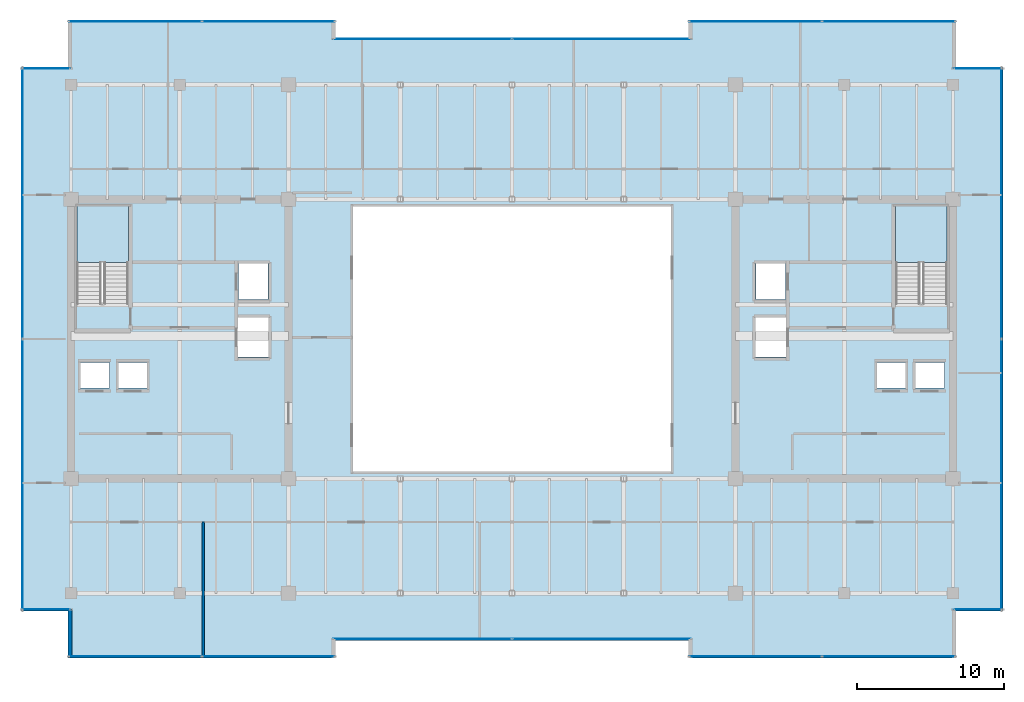
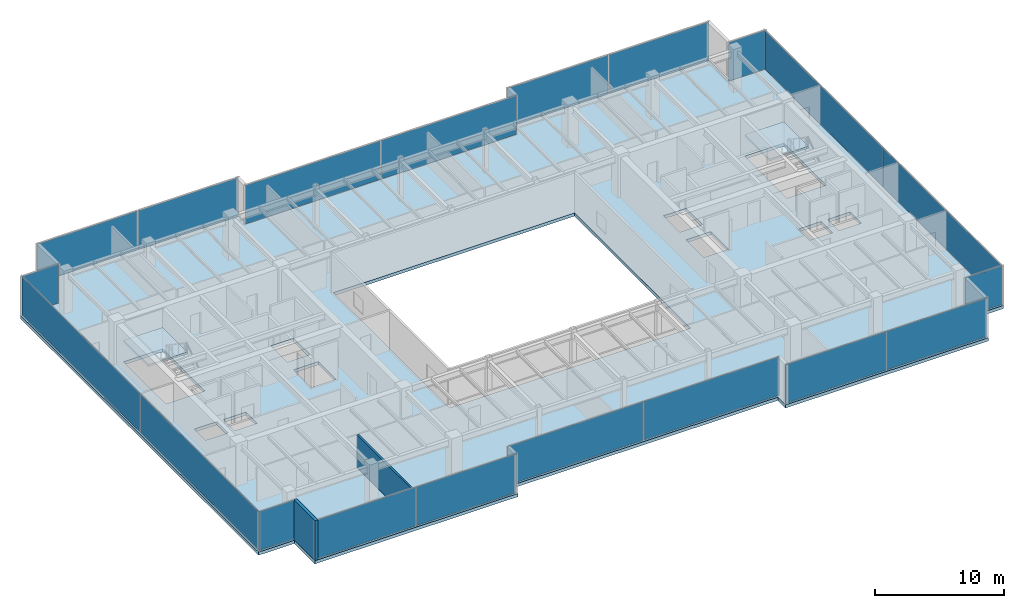
# One storey, part 27 of 33: 20 plates, 3 slabs, 2 walls, 14 elements without a shape of their own.
"""IFC4 building model written with IfcOpenShell, lengths in metres."""

from ifc_helpers import new_model, si_unit, direction, frame, frame_2d, origin, origin_2d, place, context, subcontext, project, spatial, polyline, rectangle, outline, extrude, source, transform, mapped, material, layer, layer_set, type_object, type_shapes, element, aggregate, save


model = new_model("IFC4")

# Units and contexts
model_context = context("Model", 3, precision=1e-05, world=origin(), true_north=direction((0.0, 1.0)))
body_context = subcontext(model_context, "Body", "Model", "MODEL_VIEW")
ifc_project = project(units=[si_unit("LENGTHUNIT", "METRE"), si_unit("AREAUNIT", "SQUARE_METRE"), si_unit("VOLUMEUNIT", "CUBIC_METRE"), si_unit("PLANEANGLEUNIT", "RADIAN"), si_unit("MASSUNIT", "GRAM", prefix="KILO")], contexts=[model_context])

# Site, building, storey
site_placement = place(None, origin())
site = spatial("IfcSite", under=ifc_project, at=site_placement, CompositionType="ELEMENT")
building_placement = place(site_placement, origin())
building = spatial("IfcBuilding", under=site, at=building_placement, Name="Haelvirn Gate Laboratories", CompositionType="ELEMENT")
storey_placement = place(building_placement, frame((0.0, 0.0, 217.800048828125)))
storey = spatial("IfcBuildingStorey", under=building, at=storey_placement, Name="L52", CompositionType="ELEMENT", Elevation=217.800048828125)

# Stair, slab
ifc_material_1 = material(Name="Concrete C40/50", Category="concrete")
stair_type = type_object("IfcStairType", Name="ST-DOG-1650-R22", PredefinedType="HALF_TURN_STAIR", material=ifc_material_1)
stair_1_placement = place(storey_placement, origin())
stair_1 = element("IfcStair", 1, at=stair_1_placement, inside=storey, type_object=stair_type, Name="L52 Escape Stair ST1", PredefinedType="HALF_TURN_STAIR")
ifc_layer_1 = layer(ifc_material_1, 0.199951171875, Name="SL-STAIR-LND")
ifc_layer_set_1 = layer_set([ifc_layer_1], Name="Concrete C40/50")
slab_type_1 = type_object("IfcSlabType", Name="SL-STAIR-LND", PredefinedType="LANDING", material=ifc_layer_set_1)
slab_1_placement = place(storey_placement, frame((0.0, 0.0, 1.849853515625)))
slab_1 = element("IfcSlab", 2, at=slab_1_placement, type_object=slab_type_1, Name="ST1 landing 1", PredefinedType="LANDING", context=body_context, shape_type="SweptSolid", body=[
    extrude(outline(polyline([(11.300048828125, 29.5), (11.300048828125, 33.35009765625), (7.800048828125, 33.35009765625), (7.800048828125, 29.5), (11.300048828125, 29.5)])), origin(), (0.0, 0.0, 1.0), 0.2001953125),
])
aggregate(stair_1, [slab_1])

stair_2_placement = place(storey_placement, origin())
stair_2 = element("IfcStair", 3, at=stair_2_placement, inside=storey, type_object=stair_type, Name="L52 Escape Stair ST2", PredefinedType="HALF_TURN_STAIR")
slab_2_placement = place(storey_placement, frame((0.0, 0.0, 1.849853515625)))
slab_2 = element("IfcSlab", 4, at=slab_2_placement, type_object=slab_type_1, Name="ST2 landing 1", PredefinedType="LANDING", context=body_context, shape_type="SweptSolid", body=[
    extrude(outline(polyline([(67.0, 29.5), (67.0, 33.35009765625), (63.5, 33.35009765625), (63.5, 29.5), (67.0, 29.5)])), origin(), (0.0, 0.0, 1.0), 0.2001953125),
])
aggregate(stair_2, [slab_2])

# Slab
ifc_layer_2 = layer(ifc_material_1, 0.300048828125, Name="SL-Z3-300")
ifc_layer_set_2 = layer_set([ifc_layer_2], Name="Concrete C40/50")
slab_type_2 = type_object("IfcSlabType", Name="SL-Z3-300", PredefinedType="FLOOR", material=ifc_layer_set_2)
slab_3_placement = place(storey_placement, frame((0.0, 0.0, -0.300048828125)))
element("IfcSlab", 5, at=slab_3_placement, inside=storey, type_object=slab_type_2, Name="L52 Structural Slab MAIN", PredefinedType="FLOOR", context=body_context, shape_type="SweptSolid", body=[
    extrude(outline(polyline([(7.199951171875, 2.60009765625), (25.39990234375, 2.60009765625), (25.39990234375, 3.800048828125), (49.39990234375, 3.800048828125), (49.39990234375, 2.60009765625), (67.60009765625, 2.60009765625), (67.60009765625, 5.800048828125), (70.800048828125, 5.800048828125), (70.800048828125, 42.800048828125), (67.60009765625, 42.800048828125), (67.60009765625, 46.0), (49.39990234375, 46.0), (49.39990234375, 44.800048828125), (25.39990234375, 44.800048828125), (25.39990234375, 46.0), (7.199951171875, 46.0), (7.199951171875, 42.800048828125), (4.0, 42.800048828125), (4.0, 5.800048828125), (7.199951171875, 5.800048828125), (7.199951171875, 2.60009765625)]), holes=[polyline([(26.60009765625, 15.300048828125), (48.199951171875, 15.300048828125), (48.199951171875, 33.300048828125), (26.60009765625, 33.300048828125), (26.60009765625, 15.300048828125)]), polyline([(11.300048828125, 26.780029296875), (11.300048828125, 33.35009765625), (7.800048828125, 33.35009765625), (7.800048828125, 26.780029296875), (11.300048828125, 26.780029296875)]), polyline([(67.0, 26.780029296875), (67.0, 33.35009765625), (63.5, 33.35009765625), (63.5, 26.780029296875), (67.0, 26.780029296875)]), polyline([(7.989990234375, 20.969970703125), (10.010009765625, 20.969970703125), (10.010009765625, 22.7099609375), (7.989990234375, 22.7099609375), (7.989990234375, 20.969970703125)]), polyline([(10.590087890625, 20.969970703125), (12.610107421875, 20.969970703125), (12.610107421875, 22.7099609375), (10.590087890625, 22.7099609375), (10.590087890625, 20.969970703125)]), polyline([(18.7900390625, 26.969970703125), (20.81005859375, 26.969970703125), (20.81005859375, 29.510009765625), (18.7900390625, 29.510009765625), (18.7900390625, 26.969970703125)]), polyline([(18.68994140625, 23.070068359375), (20.909912109375, 23.070068359375), (20.909912109375, 25.81005859375), (18.68994140625, 25.81005859375), (18.68994140625, 23.070068359375)]), polyline([(64.7900390625, 20.969970703125), (66.81005859375, 20.969970703125), (66.81005859375, 22.7099609375), (64.7900390625, 22.7099609375), (64.7900390625, 20.969970703125)]), polyline([(62.18994140625, 20.969970703125), (64.2099609375, 20.969970703125), (64.2099609375, 22.7099609375), (62.18994140625, 22.7099609375), (62.18994140625, 20.969970703125)]), polyline([(53.989990234375, 26.969970703125), (56.010009765625, 26.969970703125), (56.010009765625, 29.510009765625), (53.989990234375, 29.510009765625), (53.989990234375, 26.969970703125)]), polyline([(53.889892578125, 23.070068359375), (56.110107421875, 23.070068359375), (56.110107421875, 25.81005859375), (53.889892578125, 25.81005859375), (53.889892578125, 23.070068359375)])]), origin(), (0.0, 0.0, 1.0), 0.300048828125),
])

# Curtain wall, plates
ifc_material_2 = material(Name="Anodised bronze unitised aluminium & triple low-E glass", Category="aluminium")
ifc_layer_3 = layer(ifc_material_2, 0.176025390625, Name="CW-SYS-4")
ifc_layer_set_3 = layer_set([ifc_layer_3], Name="Anodised bronze unitised aluminium & triple low-E glass")
curtain_wall_type_1 = type_object("IfcCurtainWallType", Name="CW-SYS-4", PredefinedType="NOTDEFINED", material=ifc_layer_set_3)
curtain_wall_1_placement = place(storey_placement, origin())
curtain_wall_1 = element("IfcCurtainWall", 6, at=curtain_wall_1_placement, inside=storey, type_object=curtain_wall_type_1, Name="L52 Unitised Curtain Wall CW-L52-P0-E00-1", PredefinedType="NOTDEFINED")
ifc_material_3 = material(Name="Acoustic laminated bronze triple IGU 36 mm", Category="glass")
ifc_layer_4 = layer(ifc_material_3, 0.035888671875, Name="CWP-IGU-36")
ifc_layer_set_4 = layer_set([ifc_layer_4], Name="Acoustic laminated bronze triple IGU 36 mm")
plate_type_1 = type_object("IfcPlateType", Name="CWP-IGU-36", PredefinedType="CURTAIN_PANEL", material=ifc_layer_set_4)
shared_shape_1 = source(origin(), body_context, "Body", "SweptSolid", [
    extrude(rectangle(XDim=8.9951171875, YDim=0.035888671875, at=origin_2d()), origin(), (0.0, 0.0, 1.0), 3.669921875),
])
plate_1_placement = place(storey_placement, frame((11.767578125, 2.699951171875, 0.06494140625), z_axis=(0.0, 0.0, 1.0), x_axis=(1.0, 0.0, 0.0)))
plate_1 = element("IfcPlate", 7, at=plate_1_placement, type_object=plate_type_1, Name="CW4 panel 1.1", PredefinedType="CURTAIN_PANEL", context=body_context, shape_type="MappedRepresentation", body=[
    mapped(shared_shape_1, transform((0.0, 0.0, 0.0), scale=1.0)),
])
plate_2_placement = place(storey_placement, frame((20.83251953125, 2.699951171875, 0.06494140625), z_axis=(0.0, 0.0, 1.0), x_axis=(1.0, 0.0, 0.0)))
plate_2 = element("IfcPlate", 8, at=plate_2_placement, type_object=plate_type_1, Name="CW4 panel 2.1", PredefinedType="CURTAIN_PANEL", context=body_context, shape_type="MappedRepresentation", body=[
    mapped(shared_shape_1, transform((0.0, 0.0, 0.0), scale=1.0)),
])
aggregate(curtain_wall_1, [plate_1, plate_2])

curtain_wall_2_placement = place(storey_placement, origin())
curtain_wall_2 = element("IfcCurtainWall", 9, at=curtain_wall_2_placement, inside=storey, type_object=curtain_wall_type_1, Name="L52 Unitised Curtain Wall CW-L52-P0-E04-1", PredefinedType="NOTDEFINED")
plate_3_placement = place(storey_placement, frame((53.967529296875, 2.699951171875, 0.06494140625), z_axis=(0.0, 0.0, 1.0), x_axis=(1.0, 0.0, 0.0)))
plate_3 = element("IfcPlate", 10, at=plate_3_placement, type_object=plate_type_1, Name="CW4 panel 1.1", PredefinedType="CURTAIN_PANEL", context=body_context, shape_type="MappedRepresentation", body=[
    mapped(shared_shape_1, transform((0.0, 0.0, 0.0), scale=1.0)),
])
plate_4_placement = place(storey_placement, frame((63.032470703125, 2.699951171875, 0.06494140625), z_axis=(0.0, 0.0, 1.0), x_axis=(1.0, 0.0, 0.0)))
plate_4 = element("IfcPlate", 11, at=plate_4_placement, type_object=plate_type_1, Name="CW4 panel 2.1", PredefinedType="CURTAIN_PANEL", context=body_context, shape_type="MappedRepresentation", body=[
    mapped(shared_shape_1, transform((0.0, 0.0, 0.0), scale=1.0)),
])
aggregate(curtain_wall_2, [plate_3, plate_4])

curtain_wall_3_placement = place(storey_placement, origin())
curtain_wall_3 = element("IfcCurtainWall", 12, at=curtain_wall_3_placement, inside=storey, type_object=curtain_wall_type_1, Name="L52 Unitised Curtain Wall CW-L52-P0-E10-1", PredefinedType="NOTDEFINED")
plate_5_placement = place(storey_placement, frame((53.967529296875, 45.89990234375, 0.06494140625), z_axis=(0.0, 0.0, 1.0), x_axis=(1.0, 0.0, 0.0)))
plate_5 = element("IfcPlate", 13, at=plate_5_placement, type_object=plate_type_1, Name="CW4 panel 1.1", PredefinedType="CURTAIN_PANEL", context=body_context, shape_type="MappedRepresentation", body=[
    mapped(shared_shape_1, transform((0.0, 0.0, 0.0), scale=1.0)),
])
plate_6_placement = place(storey_placement, frame((63.032470703125, 45.89990234375, 0.06494140625), z_axis=(0.0, 0.0, 1.0), x_axis=(1.0, 0.0, 0.0)))
plate_6 = element("IfcPlate", 14, at=plate_6_placement, type_object=plate_type_1, Name="CW4 panel 2.1", PredefinedType="CURTAIN_PANEL", context=body_context, shape_type="MappedRepresentation", body=[
    mapped(shared_shape_1, transform((0.0, 0.0, 0.0), scale=1.0)),
])
aggregate(curtain_wall_3, [plate_5, plate_6])

curtain_wall_4_placement = place(storey_placement, origin())
curtain_wall_4 = element("IfcCurtainWall", 15, at=curtain_wall_4_placement, inside=storey, type_object=curtain_wall_type_1, Name="L52 Unitised Curtain Wall CW-L52-P0-E14-1", PredefinedType="NOTDEFINED")
plate_7_placement = place(storey_placement, frame((11.767578125, 45.89990234375, 0.06494140625), z_axis=(0.0, 0.0, 1.0), x_axis=(1.0, 0.0, 0.0)))
plate_7 = element("IfcPlate", 16, at=plate_7_placement, type_object=plate_type_1, Name="CW4 panel 1.1", PredefinedType="CURTAIN_PANEL", context=body_context, shape_type="MappedRepresentation", body=[
    mapped(shared_shape_1, transform((0.0, 0.0, 0.0), scale=1.0)),
])
plate_8_placement = place(storey_placement, frame((20.83251953125, 45.89990234375, 0.06494140625), z_axis=(0.0, 0.0, 1.0), x_axis=(1.0, 0.0, 0.0)))
plate_8 = element("IfcPlate", 17, at=plate_8_placement, type_object=plate_type_1, Name="CW4 panel 2.1", PredefinedType="CURTAIN_PANEL", context=body_context, shape_type="MappedRepresentation", body=[
    mapped(shared_shape_1, transform((0.0, 0.0, 0.0), scale=1.0)),
])
aggregate(curtain_wall_4, [plate_7, plate_8])

curtain_wall_5_placement = place(storey_placement, origin())
curtain_wall_5 = element("IfcCurtainWall", 18, at=curtain_wall_5_placement, inside=storey, type_object=curtain_wall_type_1, Name="L52 Unitised Curtain Wall CW-L52-P0-E02-1", PredefinedType="NOTDEFINED")
shared_shape_2 = source(origin(), body_context, "Body", "SweptSolid", [
    extrude(rectangle(XDim=12.135009765625, YDim=0.035888671875, at=origin_2d()), origin(), (0.0, 0.0, 1.0), 3.669921875),
])
plate_9_placement = place(storey_placement, frame((31.297607421875, 3.89990234375, 0.06494140625), z_axis=(0.0, 0.0, 1.0), x_axis=(1.0, 0.0, 0.0)))
plate_9 = element("IfcPlate", 19, at=plate_9_placement, type_object=plate_type_1, Name="CW4 panel 1.1", PredefinedType="CURTAIN_PANEL", context=body_context, shape_type="MappedRepresentation", body=[
    mapped(shared_shape_2, transform((0.0, 0.0, 0.0), scale=1.0)),
])
plate_10_placement = place(storey_placement, frame((43.50244140625, 3.89990234375, 0.06494140625), z_axis=(0.0, 0.0, 1.0), x_axis=(1.0, 0.0, 0.0)))
plate_10 = element("IfcPlate", 20, at=plate_10_placement, type_object=plate_type_1, Name="CW4 panel 2.1", PredefinedType="CURTAIN_PANEL", context=body_context, shape_type="MappedRepresentation", body=[
    mapped(shared_shape_2, transform((0.0, 0.0, 0.0), scale=1.0)),
])
aggregate(curtain_wall_5, [plate_9, plate_10])

curtain_wall_6_placement = place(storey_placement, origin())
curtain_wall_6 = element("IfcCurtainWall", 21, at=curtain_wall_6_placement, inside=storey, type_object=curtain_wall_type_1, Name="L52 Unitised Curtain Wall CW-L52-P0-E12-1", PredefinedType="NOTDEFINED")
plate_11_placement = place(storey_placement, frame((31.297607421875, 44.699951171875, 0.06494140625), z_axis=(0.0, 0.0, 1.0), x_axis=(1.0, 0.0, 0.0)))
plate_11 = element("IfcPlate", 22, at=plate_11_placement, type_object=plate_type_1, Name="CW4 panel 1.1", PredefinedType="CURTAIN_PANEL", context=body_context, shape_type="MappedRepresentation", body=[
    mapped(shared_shape_2, transform((0.0, 0.0, 0.0), scale=1.0)),
])
plate_12_placement = place(storey_placement, frame((43.50244140625, 44.699951171875, 0.06494140625), z_axis=(0.0, 0.0, 1.0), x_axis=(1.0, 0.0, 0.0)))
plate_12 = element("IfcPlate", 23, at=plate_12_placement, type_object=plate_type_1, Name="CW4 panel 2.1", PredefinedType="CURTAIN_PANEL", context=body_context, shape_type="MappedRepresentation", body=[
    mapped(shared_shape_2, transform((0.0, 0.0, 0.0), scale=1.0)),
])
aggregate(curtain_wall_6, [plate_11, plate_12])

# Curtain wall, plate
ifc_layer_5 = layer(ifc_material_2, 0.181884765625, Name="CW-SYS-5")
ifc_layer_set_5 = layer_set([ifc_layer_5], Name="Anodised bronze unitised aluminium & triple low-E glass")
curtain_wall_type_2 = type_object("IfcCurtainWallType", Name="CW-SYS-5", PredefinedType="NOTDEFINED", material=ifc_layer_set_5)
curtain_wall_7_placement = place(storey_placement, origin())
curtain_wall_7 = element("IfcCurtainWall", 24, at=curtain_wall_7_placement, inside=storey, type_object=curtain_wall_type_2, Name="L52 Unitised Curtain Wall CW-L52-P0-E06-1", PredefinedType="NOTDEFINED")
ifc_material_4 = material(Name="Clear low-iron notched-corner triple IGU 42 mm", Category="glass")
ifc_layer_6 = layer(ifc_material_4, 0.0419921875, Name="CWP-NTC-42")
ifc_layer_set_6 = layer_set([ifc_layer_6], Name="Clear low-iron notched-corner triple IGU 42 mm")
plate_type_2 = type_object("IfcPlateType", Name="CWP-NTC-42", PredefinedType="CURTAIN_PANEL", material=ifc_layer_set_6)
shared_shape_3 = source(origin(), body_context, "Body", "SweptSolid", [
    extrude(rectangle(XDim=3.280029296875, YDim=0.0419921875, at=origin_2d()), origin(), (0.0, 0.0, 1.0), 3.669921875),
])
type_shapes(plate_type_2, [shared_shape_3])
plate_13_placement = place(storey_placement, frame((69.080078125, 5.89990234375, 0.06494140625), z_axis=(0.0, 0.0, 1.0), x_axis=(1.0, 0.0, 0.0)))
plate_13 = element("IfcPlate", 25, at=plate_13_placement, type_object=plate_type_2, Name="CW5 panel 1.1", PredefinedType="CURTAIN_PANEL", context=body_context, shape_type="MappedRepresentation", body=[
    mapped(shared_shape_3, transform((0.0, 0.0, 0.0), scale=1.0)),
])
aggregate(curtain_wall_7, [plate_13])

curtain_wall_8_placement = place(storey_placement, origin())
curtain_wall_8 = element("IfcCurtainWall", 26, at=curtain_wall_8_placement, inside=storey, type_object=curtain_wall_type_2, Name="L52 Unitised Curtain Wall CW-L52-P0-E08-1", PredefinedType="NOTDEFINED")
plate_14_placement = place(storey_placement, frame((69.080078125, 42.699951171875, 0.06494140625), z_axis=(0.0, 0.0, 1.0), x_axis=(1.0, 0.0, 0.0)))
plate_14 = element("IfcPlate", 27, at=plate_14_placement, type_object=plate_type_2, Name="CW5 panel 1.1", PredefinedType="CURTAIN_PANEL", context=body_context, shape_type="MappedRepresentation", body=[
    mapped(shared_shape_3, transform((0.0, 0.0, 0.0), scale=1.0)),
])
aggregate(curtain_wall_8, [plate_14])

curtain_wall_9_placement = place(storey_placement, origin())
curtain_wall_9 = element("IfcCurtainWall", 28, at=curtain_wall_9_placement, inside=storey, type_object=curtain_wall_type_2, Name="L52 Unitised Curtain Wall CW-L52-P0-E16-1", PredefinedType="NOTDEFINED")
plate_15_placement = place(storey_placement, frame((5.719970703125, 42.699951171875, 0.06494140625), z_axis=(0.0, 0.0, 1.0), x_axis=(1.0, 0.0, 0.0)))
plate_15 = element("IfcPlate", 29, at=plate_15_placement, type_object=plate_type_2, Name="CW5 panel 1.1", PredefinedType="CURTAIN_PANEL", context=body_context, shape_type="MappedRepresentation", body=[
    mapped(shared_shape_3, transform((0.0, 0.0, 0.0), scale=1.0)),
])
aggregate(curtain_wall_9, [plate_15])

curtain_wall_10_placement = place(storey_placement, origin())
curtain_wall_10 = element("IfcCurtainWall", 30, at=curtain_wall_10_placement, inside=storey, type_object=curtain_wall_type_2, Name="L52 Unitised Curtain Wall CW-L52-P0-E18-1", PredefinedType="NOTDEFINED")
plate_16_placement = place(storey_placement, frame((5.719970703125, 5.89990234375, 0.06494140625), z_axis=(0.0, 0.0, 1.0), x_axis=(1.0, 0.0, 0.0)))
plate_16 = element("IfcPlate", 31, at=plate_16_placement, type_object=plate_type_2, Name="CW5 panel 1.1", PredefinedType="CURTAIN_PANEL", context=body_context, shape_type="MappedRepresentation", body=[
    mapped(shared_shape_3, transform((0.0, 0.0, 0.0), scale=1.0)),
])
aggregate(curtain_wall_10, [plate_16])

# Curtain wall, plates
curtain_wall_11_placement = place(storey_placement, origin())
curtain_wall_11 = element("IfcCurtainWall", 32, at=curtain_wall_11_placement, inside=storey, type_object=curtain_wall_type_1, Name="L52 Unitised Curtain Wall CW-L52-P0-E07", PredefinedType="NOTDEFINED")
shared_shape_4 = source(origin(), body_context, "Body", "SweptSolid", [
    extrude(rectangle(XDim=18.39501953125, YDim=0.035888671875, at=origin_2d()), origin(), (0.0, 0.0, 1.0), 3.669921875),
])
type_shapes(plate_type_1, [shared_shape_1, shared_shape_2, shared_shape_4])
plate_17_placement = place(storey_placement, frame((70.699951171875, 15.0673828125, 0.06494140625), z_axis=(0.0, 0.0, 1.0), x_axis=(0.0, 1.0, 0.0)))
plate_17 = element("IfcPlate", 33, at=plate_17_placement, type_object=plate_type_1, Name="CW4 panel 1.1", PredefinedType="CURTAIN_PANEL", context=body_context, shape_type="MappedRepresentation", body=[
    mapped(shared_shape_4, transform((0.0, 0.0, 0.0), scale=1.0)),
])
plate_18_placement = place(storey_placement, frame((70.699951171875, 33.532470703125, 0.06494140625), z_axis=(0.0, 0.0, 1.0), x_axis=(0.0, 1.0, 0.0)))
plate_18 = element("IfcPlate", 34, at=plate_18_placement, type_object=plate_type_1, Name="CW4 panel 2.1", PredefinedType="CURTAIN_PANEL", context=body_context, shape_type="MappedRepresentation", body=[
    mapped(shared_shape_4, transform((0.0, 0.0, 0.0), scale=1.0)),
])
aggregate(curtain_wall_11, [plate_17, plate_18])

curtain_wall_12_placement = place(storey_placement, origin())
curtain_wall_12 = element("IfcCurtainWall", 35, at=curtain_wall_12_placement, inside=storey, type_object=curtain_wall_type_1, Name="L52 Unitised Curtain Wall CW-L52-P0-E17", PredefinedType="NOTDEFINED")
plate_19_placement = place(storey_placement, frame((4.10009765625, 33.532470703125, 0.06494140625), z_axis=(0.0, 0.0, 1.0), x_axis=(0.0, -1.0, 0.0)))
plate_19 = element("IfcPlate", 36, at=plate_19_placement, type_object=plate_type_1, Name="CW4 panel 1.1", PredefinedType="CURTAIN_PANEL", context=body_context, shape_type="MappedRepresentation", body=[
    mapped(shared_shape_4, transform((0.0, 0.0, 0.0), scale=1.0)),
])
plate_20_placement = place(storey_placement, frame((4.10009765625, 15.0673828125, 0.06494140625), z_axis=(0.0, 0.0, 1.0), x_axis=(0.0, -1.0, 0.0)))
plate_20 = element("IfcPlate", 37, at=plate_20_placement, type_object=plate_type_1, Name="CW4 panel 2.1", PredefinedType="CURTAIN_PANEL", context=body_context, shape_type="MappedRepresentation", body=[
    mapped(shared_shape_4, transform((0.0, 0.0, 0.0), scale=1.0)),
])
aggregate(curtain_wall_12, [plate_19, plate_20])

# Walls
ifc_material_5 = material(Name="Thermally-broken bronze aluminium rainscreen & mineral wool", Category="aluminium")
ifc_layer_7 = layer(ifc_material_5, 0.280029296875, Name="EW-TERR-280")
ifc_layer_set_7 = layer_set([ifc_layer_7], Name="Thermally-broken bronze aluminium rainscreen & mineral wool")
wall_type_1 = type_object("IfcWallType", Name="EW-TERR-280", PredefinedType="STANDARD", material=ifc_layer_set_7)
wall_1_placement = place(storey_placement, frame((7.340087890625, 5.887939453125, 0.0), z_axis=(0.0, 0.0, 1.0), x_axis=(0.0, -1.0, 0.0)))
element("IfcWall", 38, at=wall_1_placement, inside=storey, type_object=wall_type_1, Name="L52 Atrium Recess Bronze Return Wall 19", PredefinedType="STANDARD", context=body_context, shape_type="SweptSolid", body=[
    extrude(rectangle(XDim=3.287841796875, YDim=0.280029296875, at=frame_2d((1.64404296875, 0.0))), origin(), (0.0, 0.0, 1.0), 3.800048828125),
])
ifc_material_6 = material(Name="Double-layer acoustic gypsum laboratory partition", Category="gypsum")
ifc_layer_8 = layer(ifc_material_6, 0.159912109375, Name="IW-ACOUST-160")
ifc_layer_set_8 = layer_set([ifc_layer_8], Name="Double-layer acoustic gypsum laboratory partition")
wall_type_2 = type_object("IfcWallType", Name="IW-ACOUST-160", PredefinedType="PARTITIONING", material=ifc_layer_set_8)
wall_2_placement = place(storey_placement, frame((16.39990234375, 2.7099609375, 0.0), z_axis=(0.0, 0.0, 1.0), x_axis=(0.0, 1.0, 0.0)))
element("IfcWall", 39, at=wall_2_placement, inside=storey, type_object=wall_type_2, Name="L52 Interior Wall IW-L52-SDIV-01", PredefinedType="PARTITIONING", context=body_context, shape_type="SweptSolid", body=[
    extrude(rectangle(XDim=9.130126953125, YDim=0.159912109375, at=frame_2d((4.56494140625, 0.0))), origin(), (0.0, 0.0, 1.0), 3.135009765625),
])

save(model, "model.ifc")
